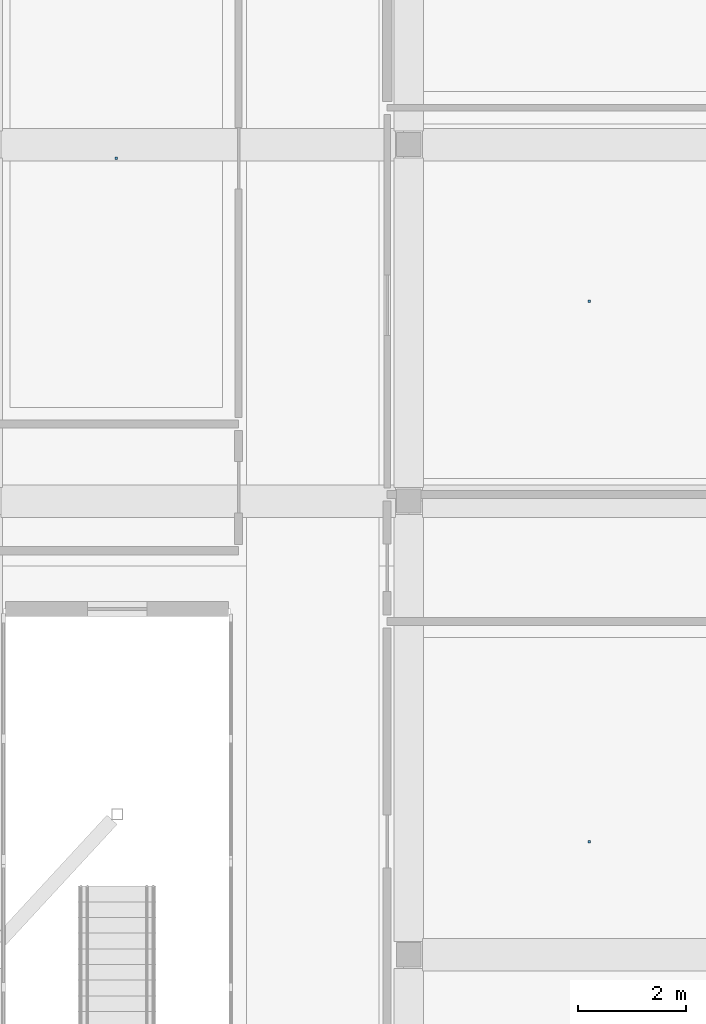
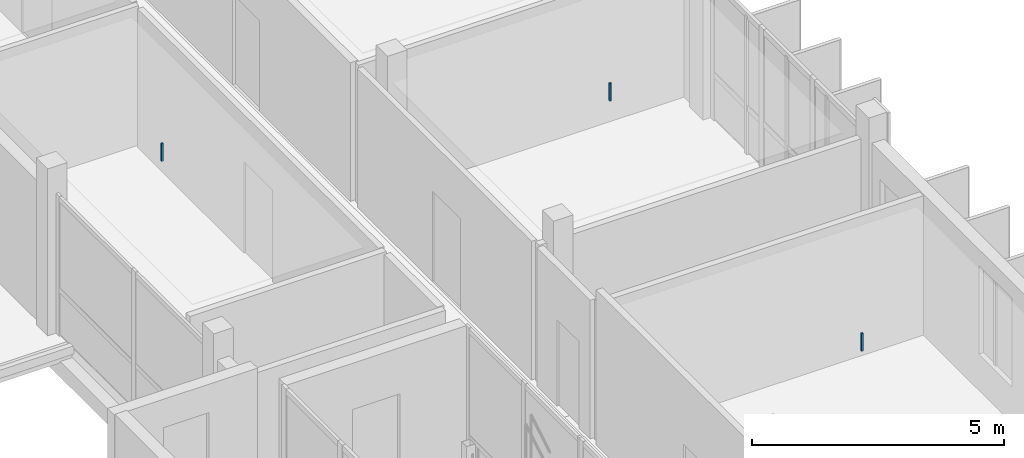
# One storey, part 74 of 86: 3 discrete accessories.
"""IFC4 building model written with IfcOpenShell, lengths in metres."""

from ifc_helpers import new_model, si_unit, derived_unit, direction, frame, origin, origin_2d, place, context, subcontext, project, spatial, rectangle, extrude, material, type_object, element, save


model = new_model("IFC4")

# Units and contexts
model_context = context("Model", 3, precision=1e-05, world=origin(), true_north=direction((0.0, 1.0)))
body_context = subcontext(model_context, "Body", "Model", "MODEL_VIEW")
ifc_project = project(units=[si_unit("LENGTHUNIT", "METRE"), si_unit("AREAUNIT", "SQUARE_METRE"), si_unit("VOLUMEUNIT", "CUBIC_METRE"), si_unit("PLANEANGLEUNIT", "RADIAN"), si_unit("MASSUNIT", "GRAM", prefix="KILO"), derived_unit("THERMALTRANSMITTANCEUNIT", [(si_unit("POWERUNIT", "WATT"), 1), (si_unit("LENGTHUNIT", "METRE"), -2), (si_unit("THERMODYNAMICTEMPERATUREUNIT", "KELVIN"), -1)])], contexts=[model_context])

# Site, building, storey
site_placement = place(None, origin())
site = spatial("IfcSite", under=ifc_project, at=site_placement, CompositionType="ELEMENT")
building_placement = place(site_placement, origin())
building = spatial("IfcBuilding", under=site, at=building_placement, Name="Braskholm Square Health Centre", CompositionType="ELEMENT")
storey_placement = place(building_placement, frame((0.0, 0.0, 13.5)))
storey = spatial("IfcBuildingStorey", under=building, at=storey_placement, Name="L04", CompositionType="ELEMENT", Elevation=13.5)

# Discrete accessories
ifc_material = material(Name="Steel ASTM A500 Grade C", Category="steel")
discrete_accessory_type = type_object("IfcDiscreteAccessoryType", Name="CeilingSuspensionBracket", PredefinedType="BRACKET", material=ifc_material)
for number, where, z_axis, x_axis, name in (
    (1, (159.93994140625, 74.294921875, 3.35205078125), (0.0, 0.0, 1.0), (1.0, 0.0, 0.0), "Ceiling hanger bracket 0177"),
    (2, (159.93994140625, 84.300048828125, 3.35205078125), (0.0, 0.0, 1.0), (1.0, 0.0, 0.0), "Ceiling hanger bracket 0178"),
    (3, (151.18505859375, 86.945068359375, 3.35205078125), (0.0, 0.0, 1.0), (1.0, 0.0, 0.0), "Ceiling hanger bracket 0186"),
):
    element("IfcDiscreteAccessory", number, at=place(storey_placement, frame(where, z_axis=z_axis, x_axis=x_axis)), inside=storey, type_object=discrete_accessory_type, Name=name, PredefinedType="BRACKET", context=body_context, shape_type="SweptSolid", body=[
        extrude(rectangle(XDim=0.044921875, YDim=0.044921875, at=origin_2d()), origin(), (0.0, 0.0, 1.0), 0.429931640625),
    ])

save(model, "model.ifc")
